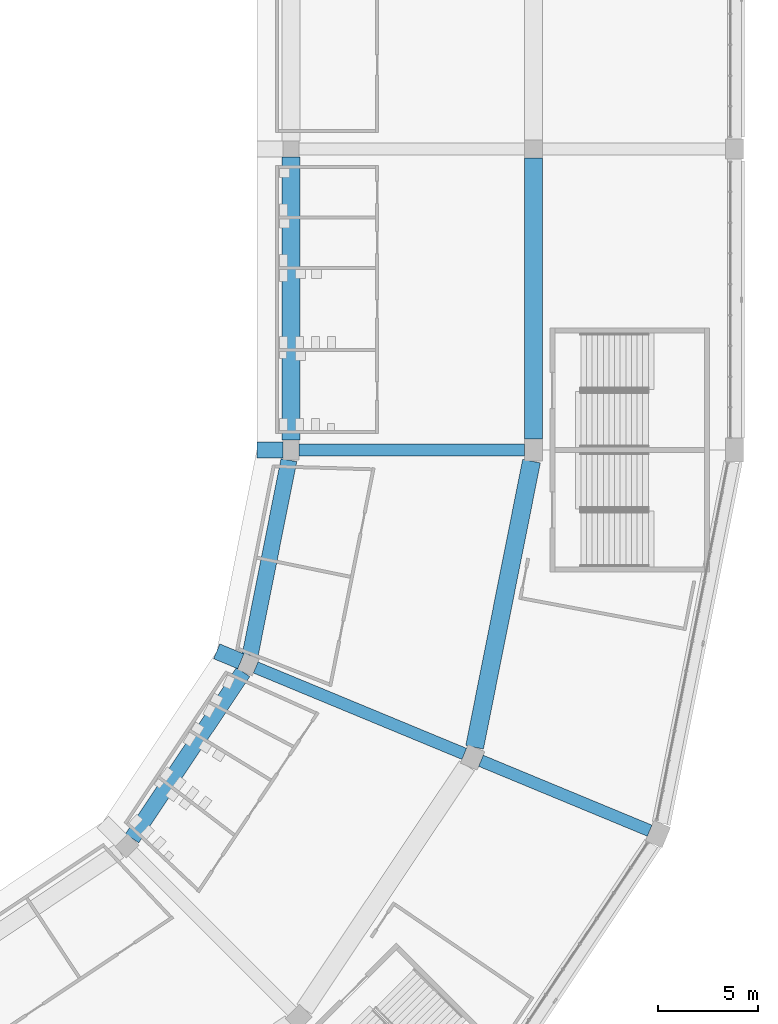
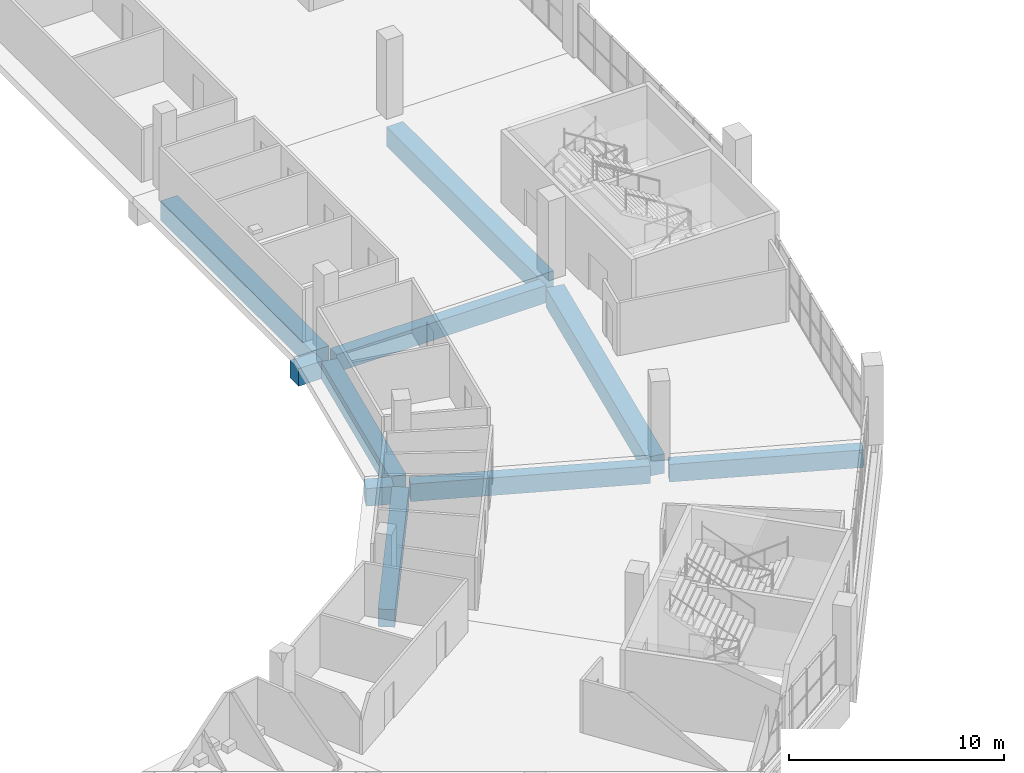
# One storey, part 25 of 199: 10 beams.
"""IFC4 building model written with IfcOpenShell, lengths in metres."""

from ifc_helpers import new_model, si_unit, direction, frame, origin, origin_2d, place, context, subcontext, project, spatial, rectangle, extrude, material, material_profile, profile_set, type_object, element, save


model = new_model("IFC4")

# Units and contexts
model_context = context("Model", 3, precision=1e-05, world=origin(), true_north=direction((0.0, 1.0)))
body_context = subcontext(model_context, "Body", "Model", "MODEL_VIEW")
ifc_project = project(units=[si_unit("LENGTHUNIT", "METRE"), si_unit("AREAUNIT", "SQUARE_METRE"), si_unit("VOLUMEUNIT", "CUBIC_METRE"), si_unit("PLANEANGLEUNIT", "RADIAN"), si_unit("MASSUNIT", "GRAM", prefix="KILO")], contexts=[model_context])

# Site, building, storey
site_placement = place(None, origin())
site = spatial("IfcSite", under=ifc_project, at=site_placement, CompositionType="ELEMENT")
building_placement = place(site_placement, origin())
building = spatial("IfcBuilding", under=site, at=building_placement, Name="Ogive Plaza Stadium", CompositionType="ELEMENT")
storey_placement = place(building_placement, frame((0.0, 0.0, 4.5)))
storey = spatial("IfcBuildingStorey", under=building, at=storey_placement, Name="L01", CompositionType="ELEMENT", Elevation=4.5)

# Beams
ifc_material_1 = material(Name="Concrete C40/50", Category="concrete")
ifc_material_profile_1 = material_profile(ifc_material_1, rectangle(XDim=0.60009765625, YDim=1.0, at=origin_2d()), Name="RC 600x1000")
ifc_profile_set_1 = profile_set([ifc_material_profile_1], Name="Concrete C40/50")
beam_type_1 = type_object("IfcBeamType", Name="RC radial beam 600x1000", PredefinedType="BEAM", material=ifc_profile_set_1)
beam_1_placement = place(storey_placement, frame((62.300048828125, -52.5, -0.909912109375), z_axis=(1.0, 0.0, 0.0), x_axis=(0.0, 1.0, 0.0)))
element("IfcBeam", 1, at=beam_1_placement, inside=storey, type_object=beam_type_1, Name="Radial beam L01 R08 F3F4", PredefinedType="BEAM", context=body_context, shape_type="SweptSolid", body=[
    extrude(rectangle(XDim=0.60009765625, YDim=1.0, at=origin_2d()), origin(), (0.0, 0.0, 1.0), 11.25),
])
beam_2_placement = place(storey_placement, frame((60.145751953125, -63.329833984375, -0.909912109375), z_axis=(0.92388194159, -0.382677616283, 0.0), x_axis=(0.382677616283, 0.92388194159, 0.0)))
element("IfcBeam", 2, at=beam_2_placement, inside=storey, type_object=beam_type_1, Name="Radial beam L01 R09 F3F4", PredefinedType="BEAM", context=body_context, shape_type="SweptSolid", body=[
    extrude(rectangle(XDim=0.60009765625, YDim=1.0, at=origin_2d()), origin(), (0.0, 0.0, 1.0), 11.250244140625),
])
beam_3_placement = place(storey_placement, frame((71.370849609375, -67.9794921875, -0.909912109375), z_axis=(0.923882116707, -0.382677193504, 0.0), x_axis=(0.382677193504, 0.923882116707, 0.0)))
element("IfcBeam", 3, at=beam_3_placement, inside=storey, type_object=beam_type_1, Name="Radial beam L01 R09 F4F5", PredefinedType="BEAM", context=body_context, shape_type="SweptSolid", body=[
    extrude(rectangle(XDim=0.60009765625, YDim=1.0, at=origin_2d()), origin(), (0.0, 0.0, 1.0), 9.10009765625),
])
ifc_material_2 = material(Name="Concrete C40/50", Category="concrete")
ifc_material_profile_2 = material_profile(ifc_material_2, rectangle(XDim=0.800048828125, YDim=1.0, at=origin_2d()), Name="RC 800x1000")
ifc_profile_set_2 = profile_set([ifc_material_profile_2], Name="Concrete C40/50")
beam_type_2 = type_object("IfcBeamType", Name="RC radial beam 800x1000", PredefinedType="BEAM", material=ifc_profile_set_2)
for number, where, z_axis, x_axis, name in (
    (4, (60.199951171875, -52.5, -0.909912109375), (1.0, 0.0, 0.0), (0.0, 1.0, 0.0), "Raker tail beam LT R08"),
    (5, (58.20556640625, -62.5263671875, -0.909912109375), (0.923941315923, -0.382534239946, 0.0), (0.382534239946, 0.923941315923, 0.0), "Raker tail beam LT R09"),
):
    element("IfcBeam", number, at=place(storey_placement, frame(where, z_axis=z_axis, x_axis=x_axis)), inside=storey, type_object=beam_type_2, Name=name, PredefinedType="BEAM", context=body_context, shape_type="SweptSolid", body=[
        extrude(rectangle(XDim=0.800048828125, YDim=1.0, at=origin_2d()), origin(), (0.0, 0.0, 1.0), 1.300048828125),
    ])
ifc_material_3 = material(Name="Concrete C40/50", Category="concrete")
ifc_material_profile_3 = material_profile(ifc_material_3, rectangle(XDim=0.800048828125, YDim=1.0, at=origin_2d()), Name="RC 800x1000")
ifc_profile_set_3 = profile_set([ifc_material_profile_3], Name="Concrete C40/50")
beam_type_3 = type_object("IfcBeamType", Name="RC ring beam 800x1000", PredefinedType="BEAM", material=ifc_profile_set_3)
beam_4_placement = place(storey_placement, frame((61.800537109375, -53.0, -0.909912109375), z_axis=(-0.195093456635, -0.980784656884, 0.0), x_axis=(0.980784656884, -0.195093456635, 0.0)))
element("IfcBeam", 6, at=beam_4_placement, inside=storey, type_object=beam_type_3, Name="Ring beam F3 L01 B08", PredefinedType="BEAM", context=body_context, shape_type="SweptSolid", body=[
    extrude(rectangle(XDim=0.800048828125, YDim=1.0, at=origin_2d()), origin(), (0.0, 0.0, 1.0), 9.91748046875),
])
beam_5_placement = place(storey_placement, frame((59.521240234375, -63.558349609375, -0.909912109375), z_axis=(-0.555570290949, -0.831469573595, 0.0), x_axis=(0.831469573595, -0.555570290949, 0.0)))
element("IfcBeam", 7, at=beam_5_placement, inside=storey, type_object=beam_type_3, Name="Ring beam F3 L01 B09", PredefinedType="BEAM", context=body_context, shape_type="SweptSolid", body=[
    extrude(rectangle(XDim=0.800048828125, YDim=1.0, at=origin_2d()), origin(), (0.0, 0.0, 1.0), 9.96826171875),
])
ifc_material_4 = material(Name="Concrete C40/50", Category="concrete")
ifc_material_profile_4 = material_profile(ifc_material_4, rectangle(XDim=0.89990234375, YDim=1.10009765625, at=origin_2d()), Name="RC 900x1100")
ifc_profile_set_4 = profile_set([ifc_material_profile_4], Name="Concrete C40/50")
beam_type_4 = type_object("IfcBeamType", Name="RC ring beam 900x1100", PredefinedType="BEAM", material=ifc_profile_set_4)
beam_6_placement = place(storey_placement, frame((74.0, -37.949951171875, -0.9599609375), z_axis=(0.0, -1.0, 0.0), x_axis=(1.0, 0.0, 0.0)))
element("IfcBeam", 8, at=beam_6_placement, inside=storey, type_object=beam_type_4, Name="Ring beam F4 L01 B07", PredefinedType="BEAM", context=body_context, shape_type="SweptSolid", body=[
    extrude(rectangle(XDim=0.89990234375, YDim=1.10009765625, at=origin_2d()), origin(), (0.0, 0.0, 1.0), 14.0),
])
beam_7_placement = place(storey_placement, frame((61.89990234375, -37.89990234375, -0.9599609375), z_axis=(0.0, -1.0, 0.0), x_axis=(1.0, 0.0, 0.0)))
element("IfcBeam", 9, at=beam_7_placement, inside=storey, type_object=beam_type_4, Name="Ring beam F3 L01 B07", PredefinedType="BEAM", context=body_context, shape_type="SweptSolid", body=[
    extrude(rectangle(XDim=0.89990234375, YDim=1.10009765625, at=origin_2d()), origin(), (0.0, 0.0, 1.0), 14.10009765625),
])
beam_8_placement = place(storey_placement, frame((73.890625, -53.050048828125, -0.9599609375), z_axis=(-0.195088957992, -0.980785551724, 0.0), x_axis=(0.980785551724, -0.195088957992, 0.0)))
element("IfcBeam", 10, at=beam_8_placement, inside=storey, type_object=beam_type_4, Name="Ring beam F4 L01 B08", PredefinedType="BEAM", context=body_context, shape_type="SweptSolid", body=[
    extrude(rectangle(XDim=0.89990234375, YDim=1.10009765625, at=origin_2d()), origin(), (0.0, 0.0, 1.0), 14.53662109375),
])

save(model, "model.ifc")
